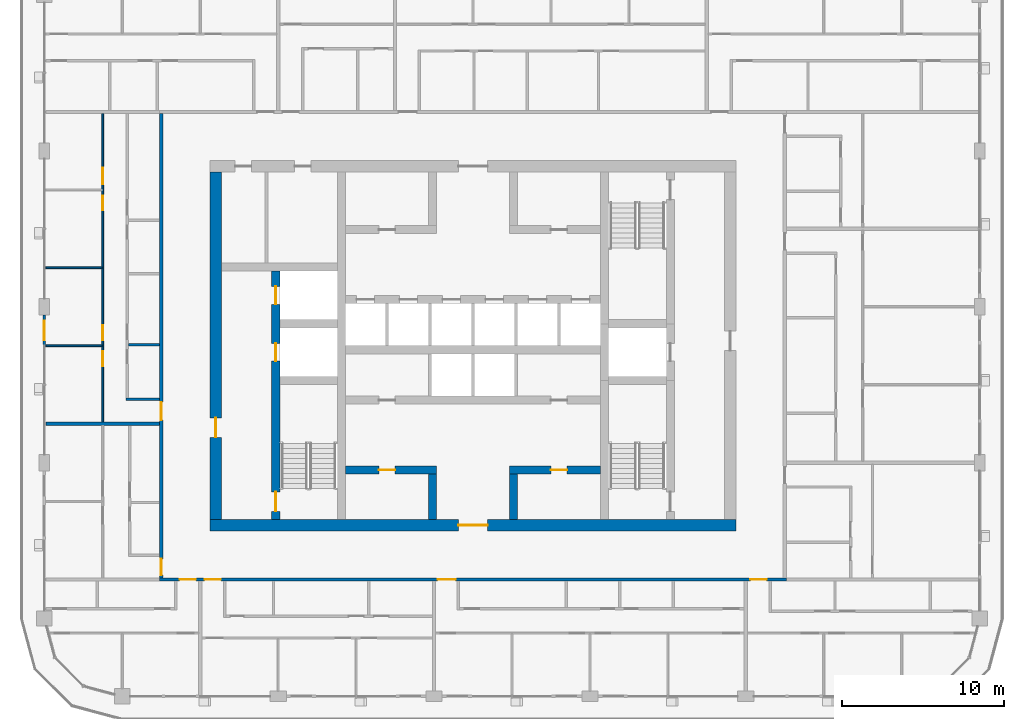
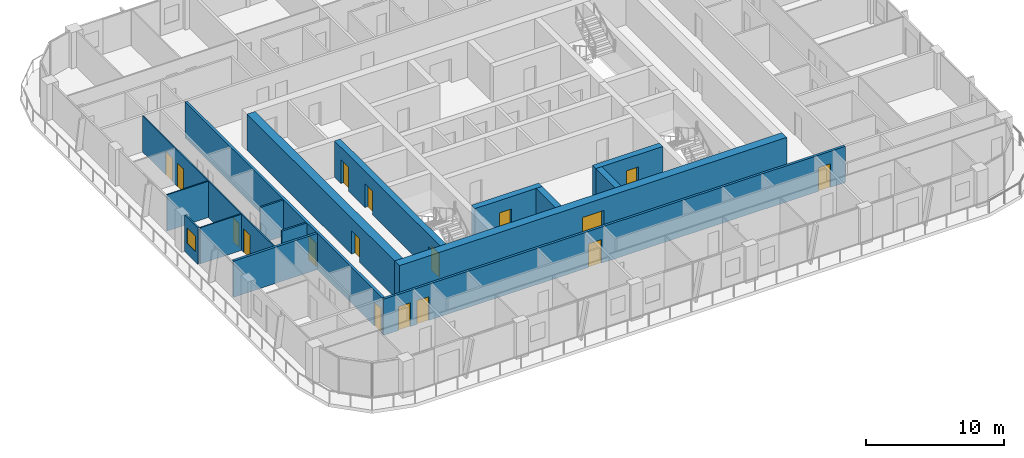
# One storey, part 10 of 23: 17 doors, 16 walls, 1 window, 18 openings.
"""IFC4 building model written with IfcOpenShell, lengths in metres."""

from ifc_helpers import new_model, si_unit, direction, frame, frame_2d, origin, place, context, subcontext, project, spatial, rectangle, extrude, material, layer, layer_set, type_object, element, fill, save


model = new_model("IFC4")

# Units and contexts
model_context = context("Model", 3, precision=1e-05, world=origin(), true_north=direction((0.0, 1.0)))
body_context = subcontext(model_context, "Body", "Model", "MODEL_VIEW")
ifc_project = project(units=[si_unit("LENGTHUNIT", "METRE"), si_unit("AREAUNIT", "SQUARE_METRE"), si_unit("VOLUMEUNIT", "CUBIC_METRE"), si_unit("PLANEANGLEUNIT", "RADIAN"), si_unit("MASSUNIT", "GRAM", prefix="KILO")], contexts=[model_context])

# Site, building, storey
site_placement = place(None, origin())
site = spatial("IfcSite", under=ifc_project, at=site_placement, CompositionType="ELEMENT")
building_placement = place(site_placement, origin())
building = spatial("IfcBuilding", under=site, at=building_placement, Name="Madar Terraces", CompositionType="ELEMENT")
storey_placement = place(building_placement, frame((0.0, 0.0, 219.300048828125)))
storey = spatial("IfcBuildingStorey", under=building, at=storey_placement, Name="L57", CompositionType="ELEMENT", Elevation=219.300048828125)

# Wall, openings, doors
ifc_material_1 = material(Name="Concrete C60/75", Category="concrete")
ifc_layer_1 = layer(ifc_material_1, 0.5)
ifc_layer_set_1 = layer_set([ifc_layer_1], Name="Concrete C60/75 (CIW4 RC wall 500)")
wall_type_1 = type_object("IfcWallType", Name="CIW4 RC wall 500", PredefinedType="SHEAR", material=ifc_layer_set_1)
wall_1_placement = place(storey_placement, frame((19.050048828125, 15.699951171875, 0.0), z_axis=(0.0, 0.0, 1.0), x_axis=(0.0, 1.0, 0.0)))
wall_1 = element("IfcWall", 1, at=wall_1_placement, inside=storey, type_object=wall_type_1, Name="CORE SHAFT WALL", PredefinedType="SHEAR", context=body_context, shape_type="SweptSolid", body=[
    extrude(rectangle(XDim=15.300048828125, YDim=0.5, at=frame_2d((7.64990234375, 0.0))), origin(), (0.0, 0.0, 1.0), 3.199951171875),
])
opening_1_placement = place(wall_1_placement, frame((9.75, 0.0, 0.0)))
opening_1 = element("IfcOpeningElement", 2, at=opening_1_placement, cuts=wall_1, Name="Opening LD", PredefinedType="OPENING", context=body_context, shape_type="SweptSolid", body=[
    extrude(rectangle(XDim=1.10009765625, YDim=2.10009765625, at=frame_2d((0.550048828125, 1.050048828125))), frame((0.0, 0.260009765625, 0.0), z_axis=(0.0, -1.0, 0.0), x_axis=(1.0, 0.0, 0.0)), (0.0, 0.0, 1.0), 0.52001953125),
])
opening_2_placement = place(wall_1_placement, frame((13.25, 0.0, 0.0)))
opening_2 = element("IfcOpeningElement", 3, at=opening_2_placement, cuts=wall_1, Name="Opening LD", PredefinedType="OPENING", context=body_context, shape_type="SweptSolid", body=[
    extrude(rectangle(XDim=1.10009765625, YDim=2.10009765625, at=frame_2d((0.550048828125, 1.050048828125))), frame((0.0, 0.260009765625, 0.0), z_axis=(0.0, -1.0, 0.0), x_axis=(1.0, 0.0, 0.0)), (0.0, 0.0, 1.0), 0.52001953125),
])
opening_3_placement = place(wall_1_placement, frame((0.5, 0.0, 0.0)))
opening_3 = element("IfcOpeningElement", 4, at=opening_3_placement, cuts=wall_1, Name="Opening SD1", PredefinedType="OPENING", context=body_context, shape_type="SweptSolid", body=[
    extrude(rectangle(XDim=1.199951171875, YDim=2.10009765625, at=frame_2d((0.60009765625, 1.050048828125))), frame((0.0, 0.260009765625, 0.0), z_axis=(0.0, -1.0, 0.0), x_axis=(1.0, 0.0, 0.0)), (0.0, 0.0, 1.0), 0.52001953125),
])
ifc_material_2 = material(Name="Stainless steel panel", Category="steel")
door_type_1 = type_object("IfcDoorType", Name="Lift landing door 1100 x 2100", OperationType="DOUBLE_DOOR_SLIDING", PredefinedType="DOOR", material=ifc_material_2)
door_1_placement = place(opening_1_placement, origin())
door_1 = element("IfcDoor", 5, at=door_1_placement, inside=storey, type_object=door_type_1, Name="LIFT LANDING DOOR", OperationType="DOUBLE_DOOR_SLIDING", OverallHeight=2.10009765625, OverallWidth=1.10009765625, PredefinedType="DOOR", context=body_context, shape_type="SweptSolid", body=[
    extrude(rectangle(XDim=1.10009765625, YDim=2.10009765625, at=frame_2d((0.550048828125, 1.050048828125))), frame((0.0, 0.02490234375, 0.0), z_axis=(0.0, -1.0, 0.0), x_axis=(1.0, 0.0, 0.0)), (0.0, 0.0, 1.0), 0.050048828125),
])
fill(opening_1, door_1)
door_2_placement = place(opening_2_placement, origin())
door_2 = element("IfcDoor", 6, at=door_2_placement, inside=storey, type_object=door_type_1, Name="LIFT LANDING DOOR", OperationType="DOUBLE_DOOR_SLIDING", OverallHeight=2.10009765625, OverallWidth=1.10009765625, PredefinedType="DOOR", context=body_context, shape_type="SweptSolid", body=[
    extrude(rectangle(XDim=1.10009765625, YDim=2.10009765625, at=frame_2d((0.550048828125, 1.050048828125))), frame((0.0, 0.02490234375, 0.0), z_axis=(0.0, -1.0, 0.0), x_axis=(1.0, 0.0, 0.0)), (0.0, 0.0, 1.0), 0.050048828125),
])
fill(opening_2, door_2)
ifc_material_3 = material(Name="Steel door leaf", Category="steel")
door_type_2 = type_object("IfcDoorType", Name="Stair door 1200 x 2100", OperationType="NOTDEFINED", PredefinedType="DOOR", material=ifc_material_3)
door_3_placement = place(opening_3_placement, frame((1.199951171875, 0.0, 0.0), z_axis=(0.0, 0.0, 1.0), x_axis=(-1.0, 0.0, 0.0)))
door_3 = element("IfcDoor", 7, at=door_3_placement, inside=storey, type_object=door_type_2, Name="STAIR DOOR", OperationType="SINGLE_SWING_LEFT", OverallHeight=2.10009765625, OverallWidth=1.199951171875, PredefinedType="DOOR", context=body_context, shape_type="SweptSolid", body=[
    extrude(rectangle(XDim=1.199951171875, YDim=2.10009765625, at=frame_2d((0.60009765625, 1.050048828125))), frame((0.0, 0.02490234375, 0.0), z_axis=(0.0, -1.0, 0.0), x_axis=(1.0, 0.0, 0.0)), (0.0, 0.0, 1.0), 0.050048828125),
])
fill(opening_3, door_3)

# Wall, opening, door
wall_2_placement = place(storey_placement, frame((23.35009765625, 18.75, 0.0), z_axis=(0.0, 0.0, 1.0), x_axis=(1.0, 0.0, 0.0)))
wall_2 = element("IfcWall", 8, at=wall_2_placement, inside=storey, type_object=wall_type_1, Name="CORE SHAFT WALL", PredefinedType="SHEAR", context=body_context, shape_type="SweptSolid", body=[
    extrude(rectangle(XDim=5.599853515625, YDim=0.5, at=frame_2d((2.7998046875, 0.0))), origin(), (0.0, 0.0, 1.0), 3.199951171875),
])
opening_4_placement = place(wall_2_placement, frame((2.050048828125, 0.0, 0.0)))
opening_4 = element("IfcOpeningElement", 9, at=opening_4_placement, cuts=wall_2, Name="Opening KD2", PredefinedType="OPENING", context=body_context, shape_type="SweptSolid", body=[
    extrude(rectangle(XDim=1.0, YDim=2.10009765625, at=frame_2d((0.5, 1.050048828125))), frame((0.0, 0.260009765625, 0.0), z_axis=(0.0, -1.0, 0.0), x_axis=(1.0, 0.0, 0.0)), (0.0, 0.0, 1.0), 0.52001953125),
])
ifc_material_4 = material(Name="Steel door leaf", Category="steel")
door_type_3 = type_object("IfcDoorType", Name="Service room door 1000 x 2100", OperationType="NOTDEFINED", PredefinedType="DOOR", material=ifc_material_4)
door_4_placement = place(opening_4_placement, origin())
door_4 = element("IfcDoor", 10, at=door_4_placement, inside=storey, type_object=door_type_3, Name="SERVICE ROOM DOOR", OperationType="SINGLE_SWING_RIGHT", OverallHeight=2.10009765625, OverallWidth=1.0, PredefinedType="DOOR", context=body_context, shape_type="SweptSolid", body=[
    extrude(rectangle(XDim=1.0, YDim=2.10009765625, at=frame_2d((0.5, 1.050048828125))), frame((0.0, 0.02490234375, 0.0), z_axis=(0.0, -1.0, 0.0), x_axis=(1.0, 0.0, 0.0)), (0.0, 0.0, 1.0), 0.050048828125),
])
fill(opening_4, door_4)

wall_3_placement = place(storey_placement, frame((33.449951171875, 18.75, 0.0), z_axis=(0.0, 0.0, 1.0), x_axis=(1.0, 0.0, 0.0)))
wall_3 = element("IfcWall", 11, at=wall_3_placement, inside=storey, type_object=wall_type_1, Name="CORE SHAFT WALL", PredefinedType="SHEAR", context=body_context, shape_type="SweptSolid", body=[
    extrude(rectangle(XDim=5.60009765625, YDim=0.5, at=frame_2d((2.800048828125, 0.0))), origin(), (0.0, 0.0, 1.0), 3.199951171875),
])
opening_5_placement = place(wall_3_placement, frame((2.550048828125, 0.0, 0.0)))
opening_5 = element("IfcOpeningElement", 12, at=opening_5_placement, cuts=wall_3, Name="Opening KD2", PredefinedType="OPENING", context=body_context, shape_type="SweptSolid", body=[
    extrude(rectangle(XDim=1.0, YDim=2.10009765625, at=frame_2d((0.5, 1.050048828125))), frame((0.0, 0.260009765625, 0.0), z_axis=(0.0, -1.0, 0.0), x_axis=(1.0, 0.0, 0.0)), (0.0, 0.0, 1.0), 0.52001953125),
])
door_5_placement = place(opening_5_placement, origin())
door_5 = element("IfcDoor", 13, at=door_5_placement, inside=storey, type_object=door_type_3, Name="SERVICE ROOM DOOR", OperationType="SINGLE_SWING_LEFT", OverallHeight=2.10009765625, OverallWidth=1.0, PredefinedType="DOOR", context=body_context, shape_type="SweptSolid", body=[
    extrude(rectangle(XDim=1.0, YDim=2.10009765625, at=frame_2d((0.5, 1.050048828125))), frame((0.0, 0.02490234375, 0.0), z_axis=(0.0, -1.0, 0.0), x_axis=(1.0, 0.0, 0.0)), (0.0, 0.0, 1.0), 0.050048828125),
])
fill(opening_5, door_5)

# Walls
for number, where, z_axis, x_axis, name in (
    (14, (28.699951171875, 15.699951171875, 0.0), (0.0, 0.0, 1.0), (0.0, 1.0, 0.0), "CORE SHAFT WALL"),
    (15, (33.699951171875, 15.699951171875, 0.0), (0.0, 0.0, 1.0), (0.0, 1.0, 0.0), "CORE SHAFT WALL"),
):
    element("IfcWall", number, at=place(storey_placement, frame(where, z_axis=z_axis, x_axis=x_axis)), inside=storey, type_object=wall_type_1, Name=name, PredefinedType="SHEAR", context=body_context, shape_type="SweptSolid", body=[
        extrude(rectangle(XDim=2.800048828125, YDim=0.5, at=frame_2d((1.39990234375, 0.0))), origin(), (0.0, 0.0, 1.0), 3.199951171875),
    ])

# Wall, opening, door
ifc_material_5 = material(Name="Concrete C60/75", Category="concrete")
ifc_layer_2 = layer(ifc_material_5, 0.699951171875)
ifc_layer_set_2 = layer_set([ifc_layer_2], Name="Concrete C60/75 (CRW4 RC wall 700)")
wall_type_2 = type_object("IfcWallType", Name="CRW4 RC wall 700", PredefinedType="SHEAR", material=ifc_layer_set_2)
wall_4_placement = place(storey_placement, frame((15.0, 15.35009765625, 0.0), z_axis=(0.0, 0.0, 1.0), x_axis=(1.0, 0.0, 0.0)))
wall_4 = element("IfcWall", 16, at=wall_4_placement, inside=storey, type_object=wall_type_2, Name="CORE OUTER WALL", PredefinedType="SHEAR", context=body_context, shape_type="SweptSolid", body=[
    extrude(rectangle(XDim=32.39990234375, YDim=0.699951171875, at=frame_2d((16.199951171875, 0.0))), origin(), (0.0, 0.0, 1.0), 3.199951171875),
])
opening_6_placement = place(wall_4_placement, frame((15.300048828125, 0.0, 0.0)))
opening_6 = element("IfcOpeningElement", 17, at=opening_6_placement, cuts=wall_4, Name="Opening KD1", PredefinedType="OPENING", context=body_context, shape_type="SweptSolid", body=[
    extrude(rectangle(XDim=1.800048828125, YDim=2.10009765625, at=frame_2d((0.89990234375, 1.050048828125))), frame((0.0, 0.35986328125, 0.0), z_axis=(0.0, -1.0, 0.0), x_axis=(1.0, 0.0, 0.0)), (0.0, 0.0, 1.0), 0.719970703125),
])
ifc_material_6 = material(Name="Steel door leaf", Category="steel")
door_type_4 = type_object("IfcDoorType", Name="Lobby door pair 1800 x 2100", OperationType="DOUBLE_DOOR_SINGLE_SWING", PredefinedType="DOOR", material=ifc_material_6)
door_6_placement = place(opening_6_placement, frame((1.800048828125, 0.0, 0.0), z_axis=(0.0, 0.0, 1.0), x_axis=(-1.0, 0.0, 0.0)))
door_6 = element("IfcDoor", 18, at=door_6_placement, inside=storey, type_object=door_type_4, Name="LIFT LOBBY DOOR", OperationType="DOUBLE_DOOR_SINGLE_SWING", OverallHeight=2.10009765625, OverallWidth=1.800048828125, PredefinedType="DOOR", context=body_context, shape_type="SweptSolid", body=[
    extrude(rectangle(XDim=1.800048828125, YDim=2.10009765625, at=frame_2d((0.89990234375, 1.050048828125))), frame((0.0, 0.02490234375, 0.0), z_axis=(0.0, -1.0, 0.0), x_axis=(1.0, 0.0, 0.0)), (0.0, 0.0, 1.0), 0.050048828125),
])
fill(opening_6, door_6)

wall_5_placement = place(storey_placement, frame((15.35009765625, 15.699951171875, 0.0), z_axis=(0.0, 0.0, 1.0), x_axis=(0.0, 1.0, 0.0)))
wall_5 = element("IfcWall", 19, at=wall_5_placement, inside=storey, type_object=wall_type_2, Name="CORE OUTER WALL", PredefinedType="SHEAR", context=body_context, shape_type="SweptSolid", body=[
    extrude(rectangle(XDim=21.400146484375, YDim=0.699951171875, at=frame_2d((10.7001953125, 0.0))), origin(), (0.0, 0.0, 1.0), 3.199951171875),
])
opening_7_placement = place(wall_5_placement, frame((5.06005859375, 0.0, 0.0)))
opening_7 = element("IfcOpeningElement", 20, at=opening_7_placement, cuts=wall_5, Name="Opening SD1", PredefinedType="OPENING", context=body_context, shape_type="SweptSolid", body=[
    extrude(rectangle(XDim=1.199951171875, YDim=2.10009765625, at=frame_2d((0.60009765625, 1.050048828125))), frame((0.0, 0.35986328125, 0.0), z_axis=(0.0, -1.0, 0.0), x_axis=(1.0, 0.0, 0.0)), (0.0, 0.0, 1.0), 0.719970703125),
])
door_7_placement = place(opening_7_placement, frame((1.199951171875, 0.0, 0.0), z_axis=(0.0, 0.0, 1.0), x_axis=(-1.0, 0.0, 0.0)))
door_7 = element("IfcDoor", 21, at=door_7_placement, inside=storey, type_object=door_type_2, Name="STAIR DOOR", OperationType="SINGLE_SWING_RIGHT", OverallHeight=2.10009765625, OverallWidth=1.199951171875, PredefinedType="DOOR", context=body_context, shape_type="SweptSolid", body=[
    extrude(rectangle(XDim=1.199951171875, YDim=2.10009765625, at=frame_2d((0.60009765625, 1.050048828125))), frame((0.0, 0.02490234375, 0.0), z_axis=(0.0, -1.0, 0.0), x_axis=(1.0, 0.0, 0.0)), (0.0, 0.0, 1.0), 0.050048828125),
])
fill(opening_7, door_7)

# Wall, opening, window
ifc_material_7 = material(Name="Aluminium composite panel, black, over insulated backing", Category="aluminium")
ifc_layer_3 = layer(ifc_material_7, 0.14990234375)
ifc_layer_set_3 = layer_set([ifc_layer_3], Name="Facade bay panel 150")
wall_type_3 = type_object("IfcWallType", Name="Facade bay panel 150", PredefinedType="SOLIDWALL", material=ifc_layer_set_3)
wall_6_placement = place(storey_placement, frame((4.800048828125, 28.300048828125, 0.0), z_axis=(0.0, 0.0, 1.0), x_axis=(0.0, -1.0, 0.0)))
wall_6 = element("IfcWall", 22, at=wall_6_placement, inside=storey, type_object=wall_type_3, Name="Facade bay panel", PredefinedType="SOLIDWALL", context=body_context, shape_type="SweptSolid", body=[
    extrude(rectangle(XDim=1.900146484375, YDim=0.14990234375, at=frame_2d((0.9501953125, 0.0))), origin(), (0.0, 0.0, 1.0), 3.199951171875),
])
opening_8_placement = place(wall_6_placement, frame((0.35009765625, 0.0, 0.89990234375)))
opening_8 = element("IfcOpeningElement", 23, at=opening_8_placement, cuts=wall_6, Name="Opening W1", PredefinedType="OPENING", context=body_context, shape_type="SweptSolid", body=[
    extrude(rectangle(XDim=1.199951171875, YDim=1.39990234375, at=frame_2d((0.60009765625, 0.699951171875))), frame((0.0, 0.0849609375, 0.0), z_axis=(0.0, -1.0, 0.0), x_axis=(1.0, 0.0, 0.0)), (0.0, 0.0, 1.0), 0.169921875),
])
ifc_material_8 = material(Name="Glass, clear, with black aluminium frame", Category="aluminium")
window_type = type_object("IfcWindowType", Name="Vent window 1200 x 1400", PartitioningType="SINGLE_PANEL", PredefinedType="WINDOW", material=ifc_material_8)
window_placement = place(opening_8_placement, origin())
window = element("IfcWindow", 24, at=window_placement, inside=storey, type_object=window_type, Name="Operable vent window", OverallHeight=1.39990234375, OverallWidth=1.199951171875, PartitioningType="SINGLE_PANEL", PredefinedType="WINDOW", context=body_context, shape_type="SweptSolid", body=[
    extrude(rectangle(XDim=1.199951171875, YDim=1.39990234375, at=frame_2d((0.60009765625, 0.699951171875))), frame((0.0, 0.030029296875, 0.0), z_axis=(0.0, -1.0, 0.0), x_axis=(1.0, 0.0, 0.0)), (0.0, 0.0, 1.0), 0.06005859375),
])
fill(opening_8, window)

# Walls
ifc_material_9 = material(Name="Gypsum board on steel studs", Category="steel")
ifc_layer_4 = layer(ifc_material_9, 0.10009765625)
ifc_layer_set_4 = layer_set([ifc_layer_4], Name="Flat partition 100")
wall_type_4 = type_object("IfcWallType", Name="Flat partition 100", PredefinedType="PARTITIONING", material=ifc_layer_set_4)
for number, where, z_axis, x_axis, name in (
    (25, (8.35009765625, 26.39990234375, 0.0), (0.0, 0.0, 1.0), (-1.0, 0.0, 0.0), "Flat partition 100"),
    (26, (8.35009765625, 31.199951171875, 0.0), (0.0, 0.0, 1.0), (-1.0, 0.0, 0.0), "Flat partition 100"),
):
    element("IfcWall", number, at=place(storey_placement, frame(where, z_axis=z_axis, x_axis=x_axis)), inside=storey, type_object=wall_type_4, Name=name, PredefinedType="PARTITIONING", context=body_context, shape_type="SweptSolid", body=[
        extrude(rectangle(XDim=3.4501953125, YDim=0.10009765625, at=frame_2d((1.72509765625, 0.0))), origin(), (0.0, 0.0, 1.0), 3.199951171875),
    ])

# Wall, openings, doors
wall_7_placement = place(storey_placement, frame((8.39990234375, 21.699951171875, 0.0), z_axis=(0.0, 0.0, 1.0), x_axis=(0.0, 1.0, 0.0)))
wall_7 = element("IfcWall", 27, at=wall_7_placement, inside=storey, type_object=wall_type_4, Name="Flat partition 100", PredefinedType="PARTITIONING", context=body_context, shape_type="SweptSolid", body=[
    extrude(rectangle(XDim=19.0, YDim=0.10009765625, at=frame_2d((9.5, 0.0))), origin(), (0.0, 0.0, 1.0), 3.199951171875),
])
opening_9_placement = place(wall_7_placement, frame((3.449951171875, 0.0, 0.0)))
opening_9 = element("IfcOpeningElement", 28, at=opening_9_placement, cuts=wall_7, Name="Opening D2", PredefinedType="OPENING", context=body_context, shape_type="SweptSolid", body=[
    extrude(rectangle(XDim=0.89990234375, YDim=2.10009765625, at=frame_2d((0.449951171875, 1.050048828125))), frame((0.0, 0.06005859375, 0.0), z_axis=(0.0, -1.0, 0.0), x_axis=(1.0, 0.0, 0.0)), (0.0, 0.0, 1.0), 0.1201171875),
])
opening_10_placement = place(wall_7_placement, frame((5.050048828125, 0.0, 0.0)))
opening_10 = element("IfcOpeningElement", 29, at=opening_10_placement, cuts=wall_7, Name="Opening D2", PredefinedType="OPENING", context=body_context, shape_type="SweptSolid", body=[
    extrude(rectangle(XDim=0.89990234375, YDim=2.10009765625, at=frame_2d((0.449951171875, 1.050048828125))), frame((0.0, 0.06005859375, 0.0), z_axis=(0.0, -1.0, 0.0), x_axis=(1.0, 0.0, 0.0)), (0.0, 0.0, 1.0), 0.1201171875),
])
opening_11_placement = place(wall_7_placement, frame((13.050048828125, 0.0, 0.0)))
opening_11 = element("IfcOpeningElement", 30, at=opening_11_placement, cuts=wall_7, Name="Opening D2", PredefinedType="OPENING", context=body_context, shape_type="SweptSolid", body=[
    extrude(rectangle(XDim=0.89990234375, YDim=2.10009765625, at=frame_2d((0.449951171875, 1.050048828125))), frame((0.0, 0.06005859375, 0.0), z_axis=(0.0, -1.0, 0.0), x_axis=(1.0, 0.0, 0.0)), (0.0, 0.0, 1.0), 0.1201171875),
])
opening_12_placement = place(wall_7_placement, frame((14.64990234375, 0.0, 0.0)))
opening_12 = element("IfcOpeningElement", 31, at=opening_12_placement, cuts=wall_7, Name="Opening D3", PredefinedType="OPENING", context=body_context, shape_type="SweptSolid", body=[
    extrude(rectangle(XDim=1.0, YDim=2.10009765625, at=frame_2d((0.5, 1.050048828125))), frame((0.0, 0.06005859375, 0.0), z_axis=(0.0, -1.0, 0.0), x_axis=(1.0, 0.0, 0.0)), (0.0, 0.0, 1.0), 0.1201171875),
])
ifc_material_10 = material(Name="Timber door leaf", Category="wood")
door_type_5 = type_object("IfcDoorType", Name="Flat living room door 1000", OperationType="NOTDEFINED", PredefinedType="DOOR", material=ifc_material_10)
door_8_placement = place(opening_12_placement, origin())
door_8 = element("IfcDoor", 32, at=door_8_placement, inside=storey, type_object=door_type_5, Name="Flat living room door 1000", OperationType="SINGLE_SWING_LEFT", OverallHeight=2.10009765625, OverallWidth=1.0, PredefinedType="DOOR", context=body_context, shape_type="SweptSolid", body=[
    extrude(rectangle(XDim=1.0, YDim=2.10009765625, at=frame_2d((0.5, 1.050048828125))), frame((0.0, 0.02490234375, 0.0), z_axis=(0.0, -1.0, 0.0), x_axis=(1.0, 0.0, 0.0)), (0.0, 0.0, 1.0), 0.050048828125),
])
fill(opening_12, door_8)
ifc_material_11 = material(Name="Timber door leaf", Category="wood")
door_type_6 = type_object("IfcDoorType", Name="Flat room door 900", OperationType="NOTDEFINED", PredefinedType="DOOR", material=ifc_material_11)
door_9_placement = place(opening_9_placement, origin())
door_9 = element("IfcDoor", 33, at=door_9_placement, inside=storey, type_object=door_type_6, Name="Flat room door 900", OperationType="SINGLE_SWING_RIGHT", OverallHeight=2.10009765625, OverallWidth=0.89990234375, PredefinedType="DOOR", context=body_context, shape_type="SweptSolid", body=[
    extrude(rectangle(XDim=0.89990234375, YDim=2.10009765625, at=frame_2d((0.449951171875, 1.050048828125))), frame((0.0, 0.02490234375, 0.0), z_axis=(0.0, -1.0, 0.0), x_axis=(1.0, 0.0, 0.0)), (0.0, 0.0, 1.0), 0.050048828125),
])
fill(opening_9, door_9)
door_10_placement = place(opening_10_placement, origin())
door_10 = element("IfcDoor", 34, at=door_10_placement, inside=storey, type_object=door_type_6, Name="Flat room door 900", OperationType="SINGLE_SWING_LEFT", OverallHeight=2.10009765625, OverallWidth=0.89990234375, PredefinedType="DOOR", context=body_context, shape_type="SweptSolid", body=[
    extrude(rectangle(XDim=0.89990234375, YDim=2.10009765625, at=frame_2d((0.449951171875, 1.050048828125))), frame((0.0, 0.02490234375, 0.0), z_axis=(0.0, -1.0, 0.0), x_axis=(1.0, 0.0, 0.0)), (0.0, 0.0, 1.0), 0.050048828125),
])
fill(opening_10, door_10)
door_11_placement = place(opening_11_placement, origin())
door_11 = element("IfcDoor", 35, at=door_11_placement, inside=storey, type_object=door_type_6, Name="Flat room door 900", OperationType="SINGLE_SWING_RIGHT", OverallHeight=2.10009765625, OverallWidth=0.89990234375, PredefinedType="DOOR", context=body_context, shape_type="SweptSolid", body=[
    extrude(rectangle(XDim=0.89990234375, YDim=2.10009765625, at=frame_2d((0.449951171875, 1.050048828125))), frame((0.0, 0.02490234375, 0.0), z_axis=(0.0, -1.0, 0.0), x_axis=(1.0, 0.0, 0.0)), (0.0, 0.0, 1.0), 0.050048828125),
])
fill(opening_11, door_11)

ifc_material_12 = material(Name="Lightweight blockwork", Category="masonry")
ifc_layer_5 = layer(ifc_material_12, 0.199951171875)
ifc_layer_set_5 = layer_set([ifc_layer_5], Name="Flat party and entrance wall 200")
wall_type_5 = type_object("IfcWallType", Name="Flat party and entrance wall 200", PredefinedType="PARTITIONING", material=ifc_layer_set_5)
wall_8_placement = place(storey_placement, frame((50.5, 12.0, 0.0), z_axis=(0.0, 0.0, 1.0), x_axis=(-1.0, 0.0, 0.0)))
wall_8 = element("IfcWall", 36, at=wall_8_placement, inside=storey, type_object=wall_type_5, Name="Flat party and entrance wall 200", PredefinedType="PARTITIONING", context=body_context, shape_type="SweptSolid", body=[
    extrude(rectangle(XDim=38.60009765625, YDim=0.199951171875, at=frame_2d((19.300048828125, 0.0))), origin(), (0.0, 0.0, 1.0), 3.199951171875),
])
opening_13_placement = place(wall_8_placement, frame((36.375, 0.0, 0.0)))
opening_13 = element("IfcOpeningElement", 37, at=opening_13_placement, cuts=wall_8, Name="Opening D1", PredefinedType="OPENING", context=body_context, shape_type="SweptSolid", body=[
    extrude(rectangle(XDim=1.0, YDim=2.10009765625, at=frame_2d((0.5, 1.050048828125))), frame((0.0, 0.10986328125, 0.0), z_axis=(0.0, -1.0, 0.0), x_axis=(1.0, 0.0, 0.0)), (0.0, 0.0, 1.0), 0.219970703125),
])
opening_14_placement = place(wall_8_placement, frame((34.824951171875, 0.0, 0.0)))
opening_14 = element("IfcOpeningElement", 38, at=opening_14_placement, cuts=wall_8, Name="Opening D1", PredefinedType="OPENING", context=body_context, shape_type="SweptSolid", body=[
    extrude(rectangle(XDim=1.0, YDim=2.10009765625, at=frame_2d((0.5, 1.050048828125))), frame((0.0, 0.10986328125, 0.0), z_axis=(0.0, -1.0, 0.0), x_axis=(1.0, 0.0, 0.0)), (0.0, 0.0, 1.0), 0.219970703125),
])
opening_15_placement = place(wall_8_placement, frame((20.375, 0.0, 0.0)))
opening_15 = element("IfcOpeningElement", 39, at=opening_15_placement, cuts=wall_8, Name="Opening D6", PredefinedType="OPENING", context=body_context, shape_type="SweptSolid", body=[
    extrude(rectangle(XDim=1.10009765625, YDim=2.10009765625, at=frame_2d((0.550048828125, 1.050048828125))), frame((0.0, 0.10986328125, 0.0), z_axis=(0.0, -1.0, 0.0), x_axis=(1.0, 0.0, 0.0)), (0.0, 0.0, 1.0), 0.219970703125),
])
opening_16_placement = place(wall_8_placement, frame((1.22509765625, 0.0, 0.0)))
opening_16 = element("IfcOpeningElement", 40, at=opening_16_placement, cuts=wall_8, Name="Opening D1", PredefinedType="OPENING", context=body_context, shape_type="SweptSolid", body=[
    extrude(rectangle(XDim=1.0, YDim=2.10009765625, at=frame_2d((0.5, 1.050048828125))), frame((0.0, 0.10986328125, 0.0), z_axis=(0.0, -1.0, 0.0), x_axis=(1.0, 0.0, 0.0)), (0.0, 0.0, 1.0), 0.219970703125),
])
ifc_material_13 = material(Name="Timber fire door leaf", Category="wood")
door_type_7 = type_object("IfcDoorType", Name="Flat entrance door 1000 FD30S", OperationType="NOTDEFINED", PredefinedType="DOOR", material=ifc_material_13)
door_12_placement = place(opening_13_placement, origin())
door_12 = element("IfcDoor", 41, at=door_12_placement, inside=storey, type_object=door_type_7, Name="Flat entrance door 1000 FD30S", OperationType="SINGLE_SWING_LEFT", OverallHeight=2.10009765625, OverallWidth=1.0, PredefinedType="DOOR", context=body_context, shape_type="SweptSolid", body=[
    extrude(rectangle(XDim=1.0, YDim=2.10009765625, at=frame_2d((0.5, 1.050048828125))), frame((0.0, 0.02490234375, 0.0), z_axis=(0.0, -1.0, 0.0), x_axis=(1.0, 0.0, 0.0)), (0.0, 0.0, 1.0), 0.050048828125),
])
fill(opening_13, door_12)
door_13_placement = place(opening_14_placement, origin())
door_13 = element("IfcDoor", 42, at=door_13_placement, inside=storey, type_object=door_type_7, Name="Flat entrance door 1000 FD30S", OperationType="SINGLE_SWING_RIGHT", OverallHeight=2.10009765625, OverallWidth=1.0, PredefinedType="DOOR", context=body_context, shape_type="SweptSolid", body=[
    extrude(rectangle(XDim=1.0, YDim=2.10009765625, at=frame_2d((0.5, 1.050048828125))), frame((0.0, 0.02490234375, 0.0), z_axis=(0.0, -1.0, 0.0), x_axis=(1.0, 0.0, 0.0)), (0.0, 0.0, 1.0), 0.050048828125),
])
fill(opening_14, door_13)
door_14_placement = place(opening_16_placement, origin())
door_14 = element("IfcDoor", 43, at=door_14_placement, inside=storey, type_object=door_type_7, Name="Flat entrance door 1000 FD30S", OperationType="SINGLE_SWING_RIGHT", OverallHeight=2.10009765625, OverallWidth=1.0, PredefinedType="DOOR", context=body_context, shape_type="SweptSolid", body=[
    extrude(rectangle(XDim=1.0, YDim=2.10009765625, at=frame_2d((0.5, 1.050048828125))), frame((0.0, 0.02490234375, 0.0), z_axis=(0.0, -1.0, 0.0), x_axis=(1.0, 0.0, 0.0)), (0.0, 0.0, 1.0), 0.050048828125),
])
fill(opening_16, door_14)
ifc_material_14 = material(Name="Timber fire door leaf", Category="wood")
door_type_8 = type_object("IfcDoorType", Name="Flat entrance door 1100 FD30S", OperationType="NOTDEFINED", PredefinedType="DOOR", material=ifc_material_14)
door_15_placement = place(opening_15_placement, origin())
door_15 = element("IfcDoor", 44, at=door_15_placement, inside=storey, type_object=door_type_8, Name="Flat entrance door 1100 FD30S", OperationType="SINGLE_SWING_RIGHT", OverallHeight=2.10009765625, OverallWidth=1.10009765625, PredefinedType="DOOR", context=body_context, shape_type="SweptSolid", body=[
    extrude(rectangle(XDim=1.10009765625, YDim=2.10009765625, at=frame_2d((0.550048828125, 1.050048828125))), frame((0.0, 0.02490234375, 0.0), z_axis=(0.0, -1.0, 0.0), x_axis=(1.0, 0.0, 0.0)), (0.0, 0.0, 1.0), 0.050048828125),
])
fill(opening_15, door_15)

wall_9_placement = place(storey_placement, frame((12.0, 12.10009765625, 0.0), z_axis=(0.0, 0.0, 1.0), x_axis=(0.0, 1.0, 0.0)))
wall_9 = element("IfcWall", 45, at=wall_9_placement, inside=storey, type_object=wall_type_5, Name="Flat party and entrance wall 200", PredefinedType="PARTITIONING", context=body_context, shape_type="SweptSolid", body=[
    extrude(rectangle(XDim=28.599853515625, YDim=0.199951171875, at=frame_2d((14.2998046875, 0.0))), origin(), (0.0, 0.0, 1.0), 3.199951171875),
])
opening_17_placement = place(wall_9_placement, frame((9.72509765625, 0.0, 0.0)))
opening_17 = element("IfcOpeningElement", 46, at=opening_17_placement, cuts=wall_9, Name="Opening D6", PredefinedType="OPENING", context=body_context, shape_type="SweptSolid", body=[
    extrude(rectangle(XDim=1.10009765625, YDim=2.10009765625, at=frame_2d((0.550048828125, 1.050048828125))), frame((0.0, 0.10986328125, 0.0), z_axis=(0.0, -1.0, 0.0), x_axis=(1.0, 0.0, 0.0)), (0.0, 0.0, 1.0), 0.219970703125),
])
opening_18_placement = place(wall_9_placement, frame((0.175048828125, 0.0, 0.0)))
opening_18 = element("IfcOpeningElement", 47, at=opening_18_placement, cuts=wall_9, Name="Opening D1", PredefinedType="OPENING", context=body_context, shape_type="SweptSolid", body=[
    extrude(rectangle(XDim=1.0, YDim=2.10009765625, at=frame_2d((0.5, 1.050048828125))), frame((0.0, 0.10986328125, 0.0), z_axis=(0.0, -1.0, 0.0), x_axis=(1.0, 0.0, 0.0)), (0.0, 0.0, 1.0), 0.219970703125),
])
door_16_placement = place(opening_18_placement, origin())
door_16 = element("IfcDoor", 48, at=door_16_placement, inside=storey, type_object=door_type_7, Name="Flat entrance door 1000 FD30S", OperationType="SINGLE_SWING_LEFT", OverallHeight=2.10009765625, OverallWidth=1.0, PredefinedType="DOOR", context=body_context, shape_type="SweptSolid", body=[
    extrude(rectangle(XDim=1.0, YDim=2.10009765625, at=frame_2d((0.5, 1.050048828125))), frame((0.0, 0.02490234375, 0.0), z_axis=(0.0, -1.0, 0.0), x_axis=(1.0, 0.0, 0.0)), (0.0, 0.0, 1.0), 0.050048828125),
])
fill(opening_18, door_16)
door_17_placement = place(opening_17_placement, origin())
door_17 = element("IfcDoor", 49, at=door_17_placement, inside=storey, type_object=door_type_8, Name="Flat entrance door 1100 FD30S", OperationType="SINGLE_SWING_LEFT", OverallHeight=2.10009765625, OverallWidth=1.10009765625, PredefinedType="DOOR", context=body_context, shape_type="SweptSolid", body=[
    extrude(rectangle(XDim=1.10009765625, YDim=2.10009765625, at=frame_2d((0.550048828125, 1.050048828125))), frame((0.0, 0.02490234375, 0.0), z_axis=(0.0, -1.0, 0.0), x_axis=(1.0, 0.0, 0.0)), (0.0, 0.0, 1.0), 0.050048828125),
])
fill(opening_17, door_17)

# Walls
wall_10_placement = place(storey_placement, frame((4.89990234375, 21.60009765625, 0.0), z_axis=(0.0, 0.0, 1.0), x_axis=(1.0, 0.0, 0.0)))
element("IfcWall", 50, at=wall_10_placement, inside=storey, type_object=wall_type_5, Name="Flat party and entrance wall 200", PredefinedType="PARTITIONING", context=body_context, shape_type="SweptSolid", body=[
    extrude(rectangle(XDim=7.0, YDim=0.199951171875, at=frame_2d((3.5, 0.0))), origin(), (0.0, 0.0, 1.0), 3.199951171875),
])
ifc_material_15 = material(Name="Lightweight blockwork", Category="masonry")
ifc_layer_6 = layer(ifc_material_15, 0.14990234375)
ifc_layer_set_6 = layer_set([ifc_layer_6], Name="Flat wet-room partition 150")
wall_type_6 = type_object("IfcWallType", Name="Flat wet-room partition 150", PredefinedType="PARTITIONING", material=ifc_layer_set_6)
wall_11_placement = place(storey_placement, frame((11.89990234375, 26.4609375, 0.0), z_axis=(0.0, 0.0, 1.0), x_axis=(-1.0, 0.0, 0.0)))
element("IfcWall", 51, at=wall_11_placement, inside=storey, type_object=wall_type_6, Name="Flat wet-room partition 150", PredefinedType="PARTITIONING", context=body_context, shape_type="SweptSolid", body=[
    extrude(rectangle(XDim=1.9248046875, YDim=0.14990234375, at=frame_2d((0.96240234375, 0.0))), origin(), (0.0, 0.0, 1.0), 3.199951171875),
])
wall_12_placement = place(storey_placement, frame((11.89990234375, 23.10009765625, 0.0), z_axis=(0.0, 0.0, 1.0), x_axis=(-1.0, 0.0, 0.0)))
element("IfcWall", 52, at=wall_12_placement, inside=storey, type_object=wall_type_6, Name="Flat wet-room partition 150", PredefinedType="PARTITIONING", context=body_context, shape_type="SweptSolid", body=[
    extrude(rectangle(XDim=2.074951171875, YDim=0.14990234375, at=frame_2d((1.03759765625, 0.0))), origin(), (0.0, 0.0, 1.0), 3.199951171875),
])

save(model, "model.ifc")
